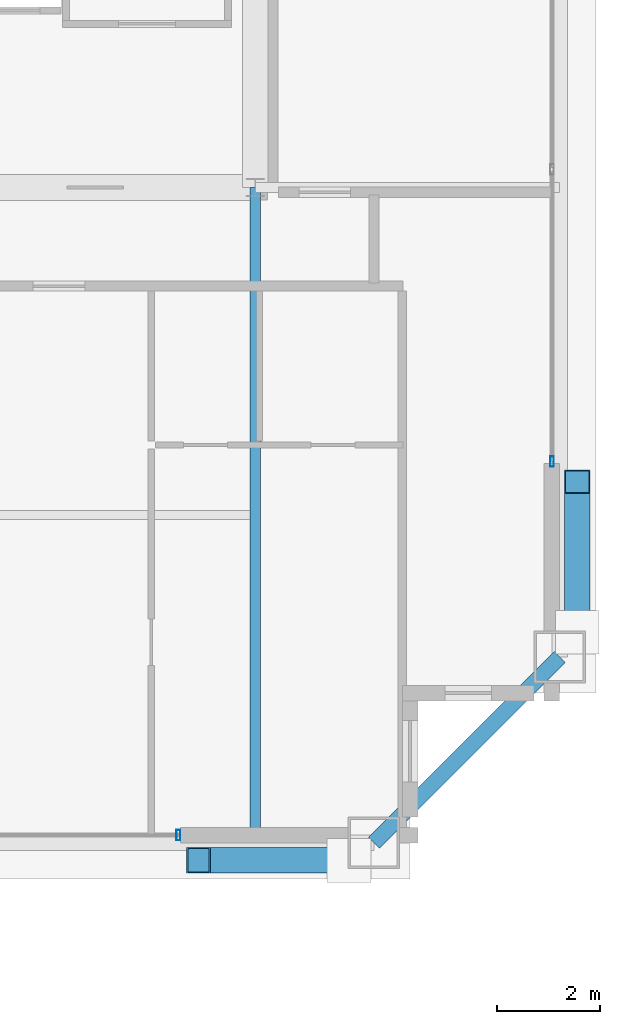
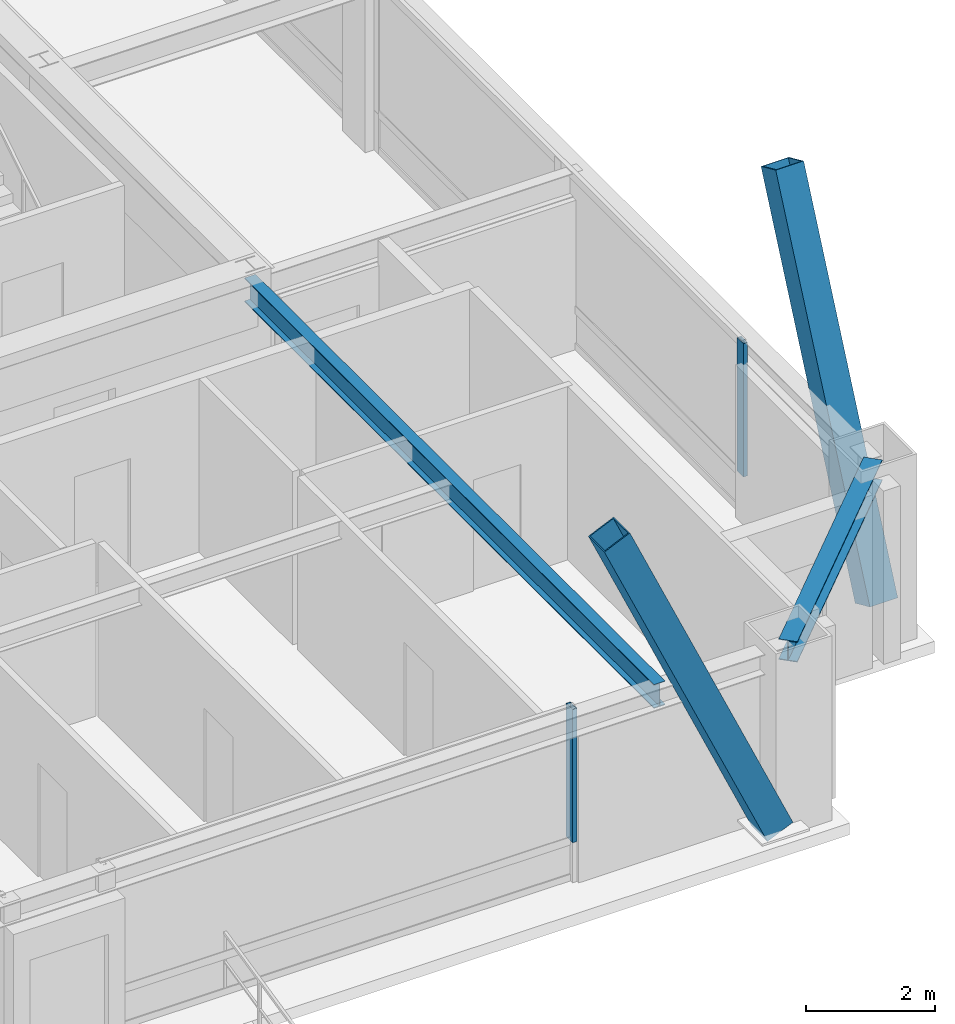
# One storey, part 11 of 33: 4 members, 2 beams, 2 elements without a shape of their own.
"""IFC4 building model written with IfcOpenShell, lengths in metres."""

from ifc_helpers import new_model, si_unit, direction, frame, origin, origin_2d, place, context, subcontext, project, spatial, hollow_rectangle, i_section, extrude, source, transform, mapped, material, layer, layer_set, material_profile, profile_set, type_object, element, aggregate, save


model = new_model("IFC4")

# Units and contexts
model_context = context("Model", 3, precision=1e-05, world=origin(), true_north=direction((0.0, 1.0)))
body_context = subcontext(model_context, "Body", "Model", "MODEL_VIEW")
ifc_project = project(units=[si_unit("LENGTHUNIT", "METRE"), si_unit("AREAUNIT", "SQUARE_METRE"), si_unit("VOLUMEUNIT", "CUBIC_METRE"), si_unit("PLANEANGLEUNIT", "RADIAN"), si_unit("MASSUNIT", "GRAM", prefix="KILO"), si_unit("THERMODYNAMICTEMPERATUREUNIT", "KELVIN"), si_unit("POWERUNIT", "WATT")], contexts=[model_context])

# Site, building, storey
site_placement = place(None, origin())
site = spatial("IfcSite", under=ifc_project, at=site_placement, CompositionType="ELEMENT")
building_placement = place(site_placement, origin())
building = spatial("IfcBuilding", under=site, at=building_placement, Name="Yuzanri Waterfront Tower", CompositionType="ELEMENT")
storey_placement = place(building_placement, frame((0.0, 0.0, 321.699951171875)))
storey = spatial("IfcBuildingStorey", under=building, at=storey_placement, Name="L86", CompositionType="ELEMENT", Elevation=321.699951171875)

# Beams
ifc_material_1 = material(Name="Steel Q355B", Category="steel")
ifc_material_profile_1 = material_profile(ifc_material_1, i_section(OverallWidth=0.300048828125, OverallDepth=0.389892578125, WebThickness=0.010009765625, FlangeThickness=0.01611328125, at=origin_2d()), Name="HM 390x300x10x16")
ifc_profile_set_1 = profile_set([ifc_material_profile_1], Name="Steel Q355B")
beam_type_1 = type_object("IfcBeamType", Name="Perimeter Spandrel Q355B HM 390x300", PredefinedType="SPANDREL", material=ifc_profile_set_1)
shared_shape_1 = source(origin(), body_context, "Body", "SweptSolid", [
    extrude(i_section(OverallWidth=0.300048828125, OverallDepth=0.389892578125, WebThickness=0.010009765625, FlangeThickness=0.01611328125, at=origin_2d()), origin(), (0.0, 0.0, 1.0), 5.09130859375),
])
beam_1_placement = place(storey_placement, frame((52.5, 6.699951171875, 3.0849609375), z_axis=(0.707106781187, 0.707106781187, 0.0), x_axis=(-0.707106781187, 0.707106781187, 0.0)))
element("IfcBeam", 1, at=beam_1_placement, inside=storey, type_object=beam_type_1, Name="L86 Perimeter Spandrel S3-E1", PredefinedType="SPANDREL", context=body_context, shape_type="MappedRepresentation", body=[
    mapped(shared_shape_1, transform((0.0, 0.0, 0.0), scale=1.0)),
])
ifc_material_2 = material(Name="Steel Q355B", Category="steel")
ifc_material_profile_2 = material_profile(ifc_material_2, i_section(OverallWidth=0.199951171875, OverallDepth=0.449951171875, WebThickness=0.009033203125, FlangeThickness=0.013916015625, at=origin_2d()), Name="HN 450x200x9x14")
ifc_profile_set_2 = profile_set([ifc_material_profile_2], Name="Steel Q355B")
beam_type_2 = type_object("IfcBeamType", Name="Secondary Floor Beam Q355B HN 450x200", PredefinedType="BEAM", material=ifc_profile_set_2)
shared_shape_2 = source(origin(), body_context, "Body", "SweptSolid", [
    extrude(i_section(OverallWidth=0.199951171875, OverallDepth=0.449951171875, WebThickness=0.009033203125, FlangeThickness=0.013916015625, at=origin_2d()), origin(), (0.0, 0.0, 1.0), 12.699951171875),
])
beam_2_placement = place(storey_placement, frame((50.199951171875, 19.39990234375, 3.054931640625), z_axis=(0.0, -1.0, 0.0), x_axis=(1.0, 0.0, 0.0)))
element("IfcBeam", 2, at=beam_2_placement, inside=storey, type_object=beam_type_2, Name="L86 South-East Core Line Beam", PredefinedType="BEAM", context=body_context, shape_type="MappedRepresentation", body=[
    mapped(shared_shape_2, transform((0.0, 0.0, 0.0), scale=1.0)),
])

# Members
ifc_material_3 = material(Name="Steel Q390GJC", Category="steel")
ifc_material_profile_3 = material_profile(ifc_material_3, hollow_rectangle(XDim=0.5, YDim=0.5, WallThickness=0.02197265625, at=origin_2d()), Name="RHS 500x500x22")
ifc_profile_set_3 = profile_set([ifc_material_profile_3], Name="Steel Q390GJC")
member_type_1 = type_object("IfcMemberType", Name="Mega Brace Upper Q390GJC RHS 500x500x22", PredefinedType="BRACE", material=ifc_profile_set_3)
shared_shape_3 = source(origin(), body_context, "Body", "SweptSolid", [
    extrude(hollow_rectangle(XDim=0.5, YDim=0.5, WallThickness=0.02197265625, at=origin_2d()), origin(), (0.0, 0.0, 1.0), 7.125732421875),
])
for number, where, z_axis, x_axis, name in (
    (3, (52.02001953125, 6.360107421875, 0.179931640625), (-0.409771952938, 0.0, 0.912187999584), (0.0, -1.0, 0.0), "L86-L87 Perimeter Mega-Brace S-R"),
    (4, (56.43994140625, 10.780029296875, 0.179931640625), (0.0, 0.409771952938, 0.912187999584), (-1.0, 0.0, 0.0), "L86-L87 Perimeter Mega-Brace E-L"),
):
    element("IfcMember", number, at=place(storey_placement, frame(where, z_axis=z_axis, x_axis=x_axis)), inside=storey, type_object=member_type_1, Name=name, PredefinedType="BRACE", context=body_context, shape_type="MappedRepresentation", body=[
        mapped(shared_shape_3, transform((0.0, 0.0, 0.0), scale=1.0)),
    ])

# Curtain wall, member
ifc_material_4 = material(Name="Anodized Architectural Bronze", Category="metal")
ifc_layer = layer(ifc_material_4, 0.159912109375)
ifc_layer_set = layer_set([ifc_layer], Name="Anodized Architectural Bronze")
curtain_wall_type = type_object("IfcCurtainWallType", Name="Anodized Bronze High-Rise Penthouse High-Wind Unitized Curtain Wall 6900", PredefinedType="NOTDEFINED", material=ifc_layer_set)
curtain_wall_1_placement = place(storey_placement, origin())
curtain_wall_1 = element("IfcCurtainWall", 5, at=curtain_wall_1_placement, inside=storey, type_object=curtain_wall_type, Name="L86 Curtain Wall CW-L86-SR2", PredefinedType="NOTDEFINED")
ifc_material_5 = material(Name="Anodized Architectural Bronze", Category="metal")
ifc_material_profile_4 = material_profile(ifc_material_5, hollow_rectangle(XDim=0.074951171875, YDim=0.199951171875, WallThickness=0.00390625, at=origin_2d()), Name="CWM 75x200")
ifc_profile_set_4 = profile_set([ifc_material_profile_4], Name="Anodized Architectural Bronze")
member_type_2 = type_object("IfcMemberType", Name="Anodized Bronze Primary Curtain-Wall Mullion 75x200", PredefinedType="MULLION", material=ifc_profile_set_4)
shared_shape_4 = source(origin(), body_context, "Body", "SweptSolid", [
    extrude(hollow_rectangle(XDim=0.074951171875, YDim=0.199951171875, WallThickness=0.00390625, at=origin_2d()), origin(), (0.0, 0.0, 1.0), 2.52392578125),
])
member_1_placement = place(storey_placement, frame((48.7099609375, 6.85009765625, 0.756103515625), z_axis=(0.0, 0.0, 1.0), x_axis=(1.0, 0.0, 0.0)))
member_1 = element("IfcMember", 6, at=member_1_placement, type_object=member_type_2, Name="CW-L86-SR2 Upper Mullion 01", PredefinedType="MULLION", context=body_context, shape_type="MappedRepresentation", body=[
    mapped(shared_shape_4, transform((0.0, 0.0, 0.0), scale=1.0)),
])
aggregate(curtain_wall_1, [member_1])

curtain_wall_2_placement = place(storey_placement, origin())
curtain_wall_2 = element("IfcCurtainWall", 7, at=curtain_wall_2_placement, inside=storey, type_object=curtain_wall_type, Name="L86 Curtain Wall CW-L86-EL", PredefinedType="NOTDEFINED")
member_2_placement = place(storey_placement, frame((55.949951171875, 14.090087890625, 0.756103515625), z_axis=(0.0, 0.0, 1.0), x_axis=(1.0, 0.0, 0.0)))
member_2 = element("IfcMember", 8, at=member_2_placement, type_object=member_type_2, Name="CW-L86-EL Upper Mullion 00", PredefinedType="MULLION", context=body_context, shape_type="MappedRepresentation", body=[
    mapped(shared_shape_4, transform((0.0, 0.0, 0.0), scale=1.0)),
])
aggregate(curtain_wall_2, [member_2])

save(model, "model.ifc")
